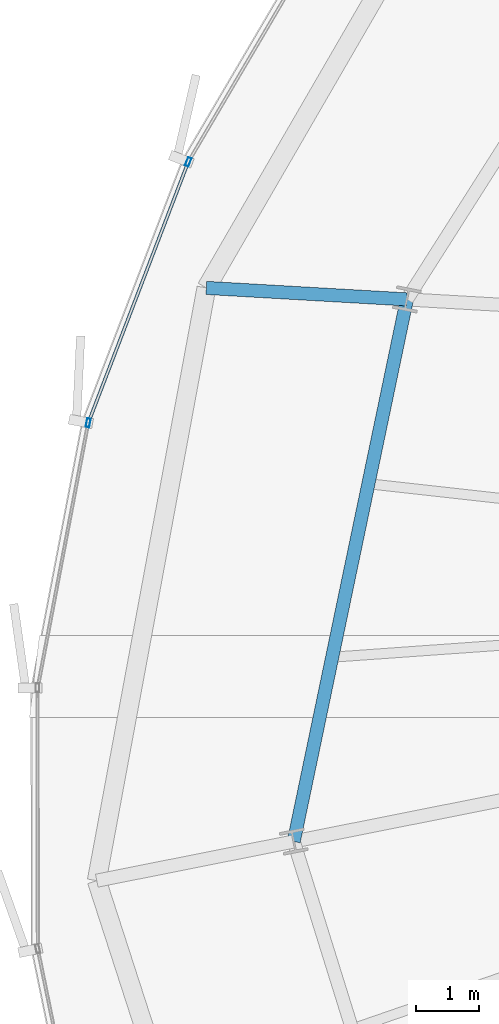
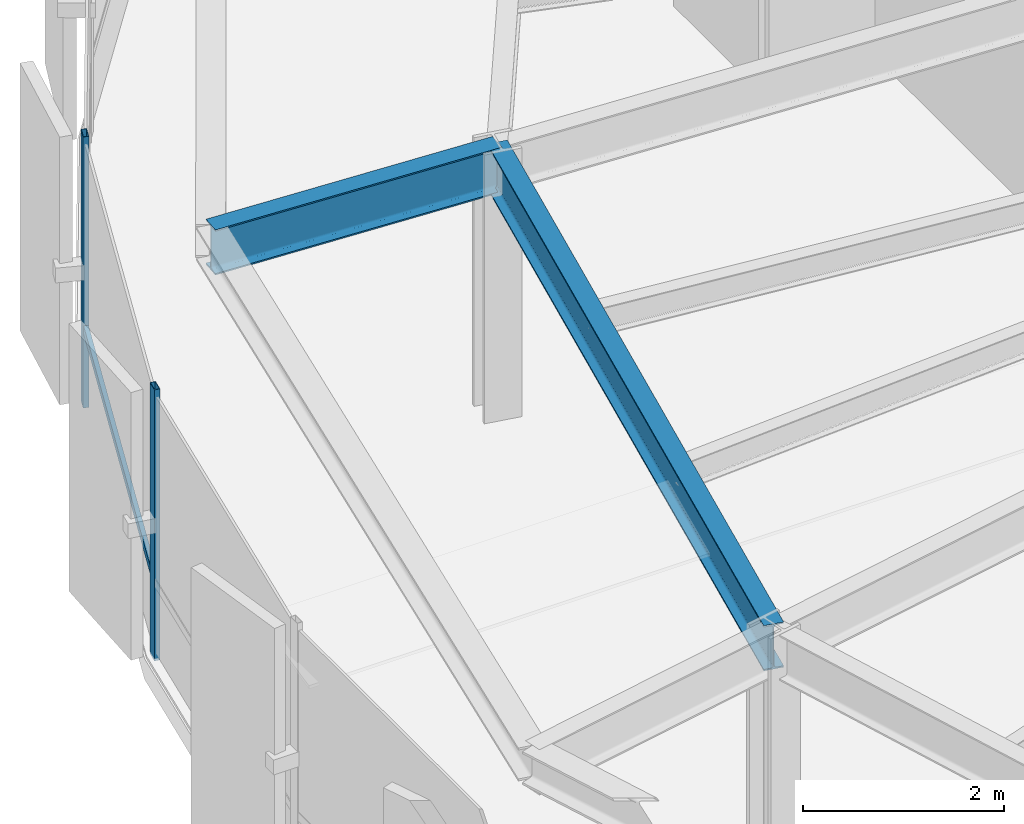
# One storey, part 10 of 34: 3 members, 2 beams, 1 element without a shape of its own.
"""IFC4 building model written with IfcOpenShell, lengths in metres."""

from ifc_helpers import new_model, si_unit, direction, frame, origin, origin_2d, place, context, subcontext, project, spatial, hollow_rectangle, i_section, extrude, source, transform, mapped, material, layer, layer_set, material_profile, profile_set, type_object, element, aggregate, save


model = new_model("IFC4")

# Units and contexts
model_context = context("Model", 3, precision=1e-05, world=origin(), true_north=direction((0.0, 1.0)))
body_context = subcontext(model_context, "Body", "Model", "MODEL_VIEW")
ifc_project = project(units=[si_unit("LENGTHUNIT", "METRE"), si_unit("AREAUNIT", "SQUARE_METRE"), si_unit("VOLUMEUNIT", "CUBIC_METRE"), si_unit("PLANEANGLEUNIT", "RADIAN"), si_unit("MASSUNIT", "GRAM", prefix="KILO"), si_unit("THERMODYNAMICTEMPERATUREUNIT", "KELVIN")], contexts=[model_context])

# Site, building, storey
site_placement = place(None, origin())
site = spatial("IfcSite", under=ifc_project, at=site_placement, CompositionType="ELEMENT")
building_placement = place(site_placement, origin())
building = spatial("IfcBuilding", under=site, at=building_placement, Name="Kethvar Cultural Tower", CompositionType="ELEMENT")
storey_placement = place(building_placement, frame((0.0, 0.0, 153.64990234375)))
storey = spatial("IfcBuildingStorey", under=building, at=storey_placement, Name="L39", CompositionType="ELEMENT", Elevation=153.64990234375)

# Beams
ifc_material_1 = material(Name="Steel S355J2", Category="steel")
ifc_material_profile_1 = material_profile(ifc_material_1, i_section(OverallWidth=0.2099609375, OverallDepth=0.550048828125, WebThickness=0.010986328125, FlangeThickness=0.01708984375, FilletRadius=0.02392578125, at=origin_2d()), Name="Steel S355J2 — IPE550")
ifc_profile_set_1 = profile_set([ifc_material_profile_1], Name="Steel S355J2 — IPE550")
beam_type = type_object("IfcBeamType", Name="BM-IPE550", PredefinedType="BEAM", material=ifc_profile_set_1)
shared_shape_1 = source(origin(), body_context, "Body", "SweptSolid", [
    extrude(i_section(OverallWidth=0.2099609375, OverallDepth=0.550048828125, WebThickness=0.010986328125, FlangeThickness=0.01708984375, FilletRadius=0.02392578125, at=origin_2d()), origin(), (0.0, 0.0, 1.0), 3.2001953125),
])
beam_1_placement = place(storey_placement, frame((25.988525390625, 31.939697265625, 3.023193359375), z_axis=(-0.998357274949, 0.057295301352, 0.0), x_axis=(-0.057295301352, -0.998357274949, 0.0)))
element("IfcBeam", 1, at=beam_1_placement, inside=storey, type_object=beam_type, Name="L39 Perimeter Cantilever Beam RC-08", PredefinedType="BEAM", context=body_context, shape_type="MappedRepresentation", body=[
    mapped(shared_shape_1, transform((0.0, 0.0, 0.0), scale=1.0)),
])
shared_shape_2 = source(origin(), body_context, "Body", "SweptSolid", [
    extrude(i_section(OverallWidth=0.2099609375, OverallDepth=0.550048828125, WebThickness=0.010986328125, FlangeThickness=0.01708984375, FilletRadius=0.02392578125, at=origin_2d()), origin(), (0.0, 0.0, 1.0), 8.82421875),
])
beam_2_placement = place(storey_placement, frame((25.988525390625, 31.939697265625, 3.023193359375), z_axis=(-0.204350879122, -0.978897705688, 0.0), x_axis=(0.978897705688, -0.204350879122, 0.0)))
element("IfcBeam", 2, at=beam_2_placement, inside=storey, type_object=beam_type, Name="L39 Column Ring Tie Beam CR-08", PredefinedType="BEAM", context=body_context, shape_type="MappedRepresentation", body=[
    mapped(shared_shape_2, transform((0.0, 0.0, 0.0), scale=1.0)),
])

# Curtain wall, members
ifc_material_2 = material(Name="Aluminium 6063-T6", Category="aluminium")
ifc_layer = layer(ifc_material_2, 0.179931640625, Name="Aluminium 6063-T6", Category="aluminium")
ifc_layer_set = layer_set([ifc_layer], Name="Aluminium 6063-T6 (180 mm)")
curtain_wall_type = type_object("IfcCurtainWallType", Name="CW-SYS-04-Z34", PredefinedType="NOTDEFINED", material=ifc_layer_set)
curtain_wall_placement = place(storey_placement, origin())
curtain_wall = element("IfcCurtainWall", 3, at=curtain_wall_placement, inside=storey, type_object=curtain_wall_type, Name="L39 Curtain Wall Run 03", PredefinedType="NOTDEFINED")
ifc_material_profile_2 = material_profile(ifc_material_2, hollow_rectangle(XDim=0.06005859375, YDim=0.139892578125, WallThickness=0.0048828125, at=origin_2d()), Name="Aluminium 6063-T6 — RHS140x60x5")
ifc_profile_set_2 = profile_set([ifc_material_profile_2], Name="Aluminium 6063-T6 — RHS140x60x5")
member_type_1 = type_object("IfcMemberType", Name="CW-SYS-04-Z34-MUL", PredefinedType="MULLION", material=ifc_profile_set_2)
shared_shape_3 = source(origin(), body_context, "Body", "SweptSolid", [
    extrude(hollow_rectangle(XDim=0.06005859375, YDim=0.139892578125, WallThickness=0.0048828125, at=origin_2d()), origin(), (0.0, 0.0, 1.0), 3.300048828125),
])
member_1_placement = place(storey_placement, frame((22.5048828125, 34.130615234375, 0.0), z_axis=(0.0, 0.0, 1.0), x_axis=(0.933855358014, -0.357650905644, 0.0)))
member_1 = element("IfcMember", 4, at=member_1_placement, type_object=member_type_1, Name="CW-L39-R03 Mullion 2", PredefinedType="MULLION", context=body_context, shape_type="MappedRepresentation", body=[
    mapped(shared_shape_3, transform((0.0, 0.0, 0.0), scale=1.0)),
])
member_2_placement = place(storey_placement, frame((20.910888671875, 29.972900390625, 0.0), z_axis=(0.0, 0.0, 1.0), x_axis=(0.982283980158, -0.187398458704, 0.0)))
member_2 = element("IfcMember", 5, at=member_2_placement, type_object=member_type_1, Name="CW-L39-R03 Mullion 3", PredefinedType="MULLION", context=body_context, shape_type="MappedRepresentation", body=[
    mapped(shared_shape_3, transform((0.0, 0.0, 0.0), scale=1.0)),
])
ifc_material_profile_3 = material_profile(ifc_material_2, hollow_rectangle(XDim=0.050048828125, YDim=0.10009765625, WallThickness=0.00390625, at=origin_2d()), Name="Aluminium 6063-T6 — RHS100x50x4")
ifc_profile_set_3 = profile_set([ifc_material_profile_3], Name="Aluminium 6063-T6 — RHS100x50x4")
member_type_2 = type_object("IfcMemberType", Name="CW-SYS-04-Z34-TRN", PredefinedType="USERDEFINED", material=ifc_profile_set_3)
shared_shape_4 = source(origin(), body_context, "Body", "SweptSolid", [
    extrude(hollow_rectangle(XDim=0.050048828125, YDim=0.10009765625, WallThickness=0.00390625, at=origin_2d()), origin(), (0.0, 0.0, 1.0), 4.3857421875),
])
member_3_placement = place(storey_placement, frame((22.489501953125, 34.09033203125, 0.9501953125), z_axis=(-0.357654496812, -0.933853982649, 0.0), x_axis=(0.933853982649, -0.357654496812, 0.0)))
member_3 = element("IfcMember", 6, at=member_3_placement, type_object=member_type_2, Name="CW-L39-R03 Transom 2", ObjectType="TRANSOM", PredefinedType="USERDEFINED", context=body_context, shape_type="MappedRepresentation", body=[
    mapped(shared_shape_4, transform((0.0, 0.0, 0.0), scale=1.0)),
])
aggregate(curtain_wall, [member_1, member_2, member_3])

save(model, "model.ifc")
